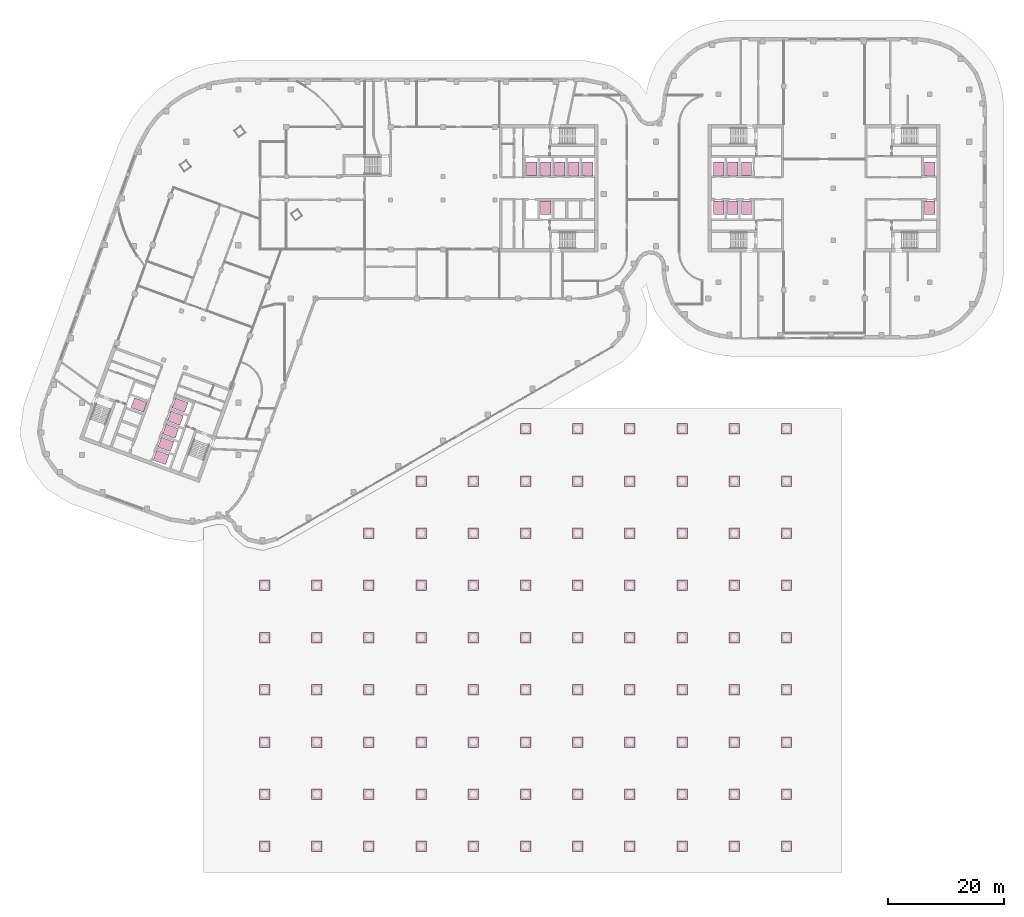
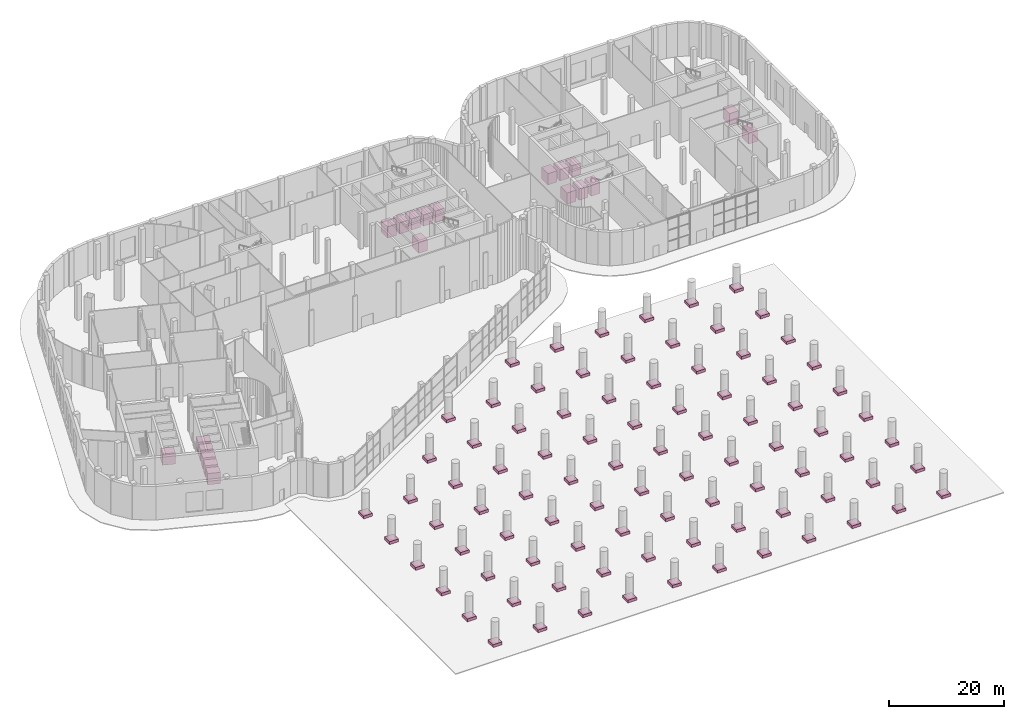
# One storey, part 29 of 30: 89 furniture elements, 20 transport elements.
"""IFC4 building model written with IfcOpenShell, lengths in metres."""

from ifc_helpers import new_model, si_unit, direction, frame, origin, origin_2d, place, context, subcontext, project, spatial, rectangle, extrude, material, type_object, element, save


model = new_model("IFC4")

# Units and contexts
model_context = context("Model", 3, precision=1e-05, world=origin(), true_north=direction((0.0, 1.0)))
body_context = subcontext(model_context, "Body", "Model", "MODEL_VIEW")
ifc_project = project(units=[si_unit("LENGTHUNIT", "METRE"), si_unit("AREAUNIT", "SQUARE_METRE"), si_unit("VOLUMEUNIT", "CUBIC_METRE"), si_unit("PLANEANGLEUNIT", "RADIAN"), si_unit("MASSUNIT", "GRAM", prefix="KILO")], contexts=[model_context])

# Site, building, storey
site_placement = place(None, origin())
site = spatial("IfcSite", under=ifc_project, at=site_placement, CompositionType="ELEMENT")
building_placement = place(site_placement, origin())
building = spatial("IfcBuilding", under=site, at=building_placement, Name="Skarvind Civic Tower", CompositionType="ELEMENT")
storey_placement = place(building_placement, origin())
storey = spatial("IfcBuildingStorey", under=building, at=storey_placement, Name="L00", CompositionType="ELEMENT", Elevation=0.0)

# Transport elements
ifc_material_1 = material(Name="Firefighting lift car")
transport_element_type_1 = type_object("IfcTransportElementType", Name="Firefighting lift car", PredefinedType="ELEVATOR", material=ifc_material_1)
for number, where, z_axis, x_axis, name in (
    (1, (99.0, 124.64990234375, 0.0), (0.0, 0.0, 1.0), (-1.0, 0.0, 0.0), "Firefighting lift car"),
    (2, (96.60009765625, 131.35009765625, 0.0), (0.0, 0.0, 1.0), (-1.0, 0.0, 0.0), "Firefighting lift car"),
    (3, (28.8291015625, 90.618408203125, 0.0), (0.0, 0.0, 1.0), (0.342020143326, 0.939692620786, 0.0), "Firefighting lift car"),
    (4, (133.60009765625, 131.35009765625, 0.0), (0.0, 0.0, 1.0), (1.0, 0.0, 0.0), "Firefighting lift car"),
):
    element("IfcTransportElement", number, at=place(storey_placement, frame(where, z_axis=z_axis, x_axis=x_axis)), inside=storey, type_object=transport_element_type_1, Name=name, PredefinedType="ELEVATOR", context=body_context, shape_type="SweptSolid", body=[
        extrude(rectangle(XDim=1.800048828125, YDim=2.300048828125, at=origin_2d()), origin(), (0.0, 0.0, 1.0), 2.39990234375),
    ])
ifc_material_2 = material(Name="Passenger lift car")
transport_element_type_2 = type_object("IfcTransportElementType", Name="Passenger lift car", PredefinedType="ELEVATOR", material=ifc_material_2)
for number, where, z_axis, x_axis, name in (
    (5, (106.199951171875, 131.35009765625, 0.0), (0.0, 0.0, 1.0), (-1.0, 0.0, 0.0), "Shuttle lift car"),
    (6, (103.800048828125, 131.35009765625, 0.0), (0.0, 0.0, 1.0), (-1.0, 0.0, 0.0), "Shuttle lift car"),
    (7, (101.39990234375, 131.35009765625, 0.0), (0.0, 0.0, 1.0), (-1.0, 0.0, 0.0), "Low-rise lift car"),
    (8, (99.0, 131.35009765625, 0.0), (0.0, 0.0, 1.0), (-1.0, 0.0, 0.0), "Low-rise lift car"),
    (9, (32.66259765625, 81.56103515625, 0.0), (0.0, 0.0, 1.0), (0.342020143326, 0.939692620786, 0.0), "Shuttle lift car"),
    (10, (33.4833984375, 83.81640625, 0.0), (0.0, 0.0, 1.0), (0.342020143326, 0.939692620786, 0.0), "Shuttle lift car"),
    (11, (34.30419921875, 86.071533203125, 0.0), (0.0, 0.0, 1.0), (0.342020143326, 0.939692620786, 0.0), "Low-rise lift car"),
    (12, (35.125, 88.326904296875, 0.0), (0.0, 0.0, 1.0), (0.342020143326, 0.939692620786, 0.0), "Low-rise lift car"),
    (13, (35.946044921875, 90.58203125, 0.0), (0.0, 0.0, 1.0), (0.342020143326, 0.939692620786, 0.0), "Low-rise lift car"),
    (14, (128.800048828125, 131.35009765625, 0.0), (0.0, 0.0, 1.0), (1.0, 0.0, 0.0), "Low-rise lift car"),
    (15, (131.199951171875, 131.35009765625, 0.0), (0.0, 0.0, 1.0), (1.0, 0.0, 0.0), "Low-rise lift car"),
    (16, (128.800048828125, 124.64990234375, 0.0), (0.0, 0.0, 1.0), (1.0, 0.0, 0.0), "Low-rise lift car"),
    (17, (131.199951171875, 124.64990234375, 0.0), (0.0, 0.0, 1.0), (1.0, 0.0, 0.0), "Low-rise lift car"),
    (18, (133.60009765625, 124.64990234375, 0.0), (0.0, 0.0, 1.0), (1.0, 0.0, 0.0), "Low-rise lift car"),
    (19, (165.199951171875, 124.64990234375, 0.0), (0.0, 0.0, 1.0), (-1.0, 0.0, 0.0), "Low-rise lift car"),
    (20, (165.199951171875, 131.35009765625, 0.0), (0.0, 0.0, 1.0), (-1.0, 0.0, 0.0), "Low-rise lift car"),
):
    element("IfcTransportElement", number, at=place(storey_placement, frame(where, z_axis=z_axis, x_axis=x_axis)), inside=storey, type_object=transport_element_type_2, Name=name, PredefinedType="ELEVATOR", context=body_context, shape_type="SweptSolid", body=[
        extrude(rectangle(XDim=1.800048828125, YDim=2.300048828125, at=origin_2d()), origin(), (0.0, 0.0, 1.0), 2.39990234375),
    ])

# Furniture
for number, where, z_axis, x_axis, name in (
    (21, (50.5, 14.5, 0.0), (0.0, 0.0, 1.0), (1.0, 0.0, 0.0), "PLAZA PLANTER"),
    (22, (50.5, 23.5, 0.0), (0.0, 0.0, 1.0), (1.0, 0.0, 0.0), "PLAZA PLANTER"),
    (23, (50.5, 32.5, 0.0), (0.0, 0.0, 1.0), (1.0, 0.0, 0.0), "PLAZA PLANTER"),
    (24, (50.5, 41.5, 0.0), (0.0, 0.0, 1.0), (1.0, 0.0, 0.0), "PLAZA PLANTER"),
    (25, (50.5, 50.5, 0.0), (0.0, 0.0, 1.0), (1.0, 0.0, 0.0), "PLAZA PLANTER"),
    (26, (50.5, 59.5, 0.0), (0.0, 0.0, 1.0), (1.0, 0.0, 0.0), "PLAZA PLANTER"),
    (27, (59.5, 14.5, 0.0), (0.0, 0.0, 1.0), (1.0, 0.0, 0.0), "PLAZA PLANTER"),
    (28, (59.5, 23.5, 0.0), (0.0, 0.0, 1.0), (1.0, 0.0, 0.0), "PLAZA PLANTER"),
    (29, (59.5, 32.5, 0.0), (0.0, 0.0, 1.0), (1.0, 0.0, 0.0), "PLAZA PLANTER"),
    (30, (59.5, 41.5, 0.0), (0.0, 0.0, 1.0), (1.0, 0.0, 0.0), "PLAZA PLANTER"),
    (31, (59.5, 50.5, 0.0), (0.0, 0.0, 1.0), (1.0, 0.0, 0.0), "PLAZA PLANTER"),
    (32, (59.5, 59.5, 0.0), (0.0, 0.0, 1.0), (1.0, 0.0, 0.0), "PLAZA PLANTER"),
    (33, (68.5, 14.5, 0.0), (0.0, 0.0, 1.0), (1.0, 0.0, 0.0), "PLAZA PLANTER"),
    (34, (68.5, 23.5, 0.0), (0.0, 0.0, 1.0), (1.0, 0.0, 0.0), "PLAZA PLANTER"),
    (35, (68.5, 32.5, 0.0), (0.0, 0.0, 1.0), (1.0, 0.0, 0.0), "PLAZA PLANTER"),
    (36, (68.5, 41.5, 0.0), (0.0, 0.0, 1.0), (1.0, 0.0, 0.0), "PLAZA PLANTER"),
    (37, (68.5, 50.5, 0.0), (0.0, 0.0, 1.0), (1.0, 0.0, 0.0), "PLAZA PLANTER"),
    (38, (68.5, 59.5, 0.0), (0.0, 0.0, 1.0), (1.0, 0.0, 0.0), "PLAZA PLANTER"),
    (39, (68.5, 68.5, 0.0), (0.0, 0.0, 1.0), (1.0, 0.0, 0.0), "PLAZA PLANTER"),
    (40, (77.5, 14.5, 0.0), (0.0, 0.0, 1.0), (1.0, 0.0, 0.0), "PLAZA PLANTER"),
    (41, (77.5, 23.5, 0.0), (0.0, 0.0, 1.0), (1.0, 0.0, 0.0), "PLAZA PLANTER"),
    (42, (77.5, 32.5, 0.0), (0.0, 0.0, 1.0), (1.0, 0.0, 0.0), "PLAZA PLANTER"),
    (43, (77.5, 41.5, 0.0), (0.0, 0.0, 1.0), (1.0, 0.0, 0.0), "PLAZA PLANTER"),
    (44, (77.5, 50.5, 0.0), (0.0, 0.0, 1.0), (1.0, 0.0, 0.0), "PLAZA PLANTER"),
    (45, (77.5, 59.5, 0.0), (0.0, 0.0, 1.0), (1.0, 0.0, 0.0), "PLAZA PLANTER"),
    (46, (77.5, 68.5, 0.0), (0.0, 0.0, 1.0), (1.0, 0.0, 0.0), "PLAZA PLANTER"),
    (47, (77.5, 77.5, 0.0), (0.0, 0.0, 1.0), (1.0, 0.0, 0.0), "PLAZA PLANTER"),
    (48, (86.5, 14.5, 0.0), (0.0, 0.0, 1.0), (1.0, 0.0, 0.0), "PLAZA PLANTER"),
    (49, (86.5, 23.5, 0.0), (0.0, 0.0, 1.0), (1.0, 0.0, 0.0), "PLAZA PLANTER"),
    (50, (86.5, 32.5, 0.0), (0.0, 0.0, 1.0), (1.0, 0.0, 0.0), "PLAZA PLANTER"),
    (51, (86.5, 41.5, 0.0), (0.0, 0.0, 1.0), (1.0, 0.0, 0.0), "PLAZA PLANTER"),
    (52, (86.5, 50.5, 0.0), (0.0, 0.0, 1.0), (1.0, 0.0, 0.0), "PLAZA PLANTER"),
    (53, (86.5, 59.5, 0.0), (0.0, 0.0, 1.0), (1.0, 0.0, 0.0), "PLAZA PLANTER"),
    (54, (86.5, 68.5, 0.0), (0.0, 0.0, 1.0), (1.0, 0.0, 0.0), "PLAZA PLANTER"),
    (55, (86.5, 77.5, 0.0), (0.0, 0.0, 1.0), (1.0, 0.0, 0.0), "PLAZA PLANTER"),
    (56, (95.5, 14.5, 0.0), (0.0, 0.0, 1.0), (1.0, 0.0, 0.0), "PLAZA PLANTER"),
    (57, (95.5, 23.5, 0.0), (0.0, 0.0, 1.0), (1.0, 0.0, 0.0), "PLAZA PLANTER"),
    (58, (95.5, 32.5, 0.0), (0.0, 0.0, 1.0), (1.0, 0.0, 0.0), "PLAZA PLANTER"),
    (59, (95.5, 41.5, 0.0), (0.0, 0.0, 1.0), (1.0, 0.0, 0.0), "PLAZA PLANTER"),
    (60, (95.5, 50.5, 0.0), (0.0, 0.0, 1.0), (1.0, 0.0, 0.0), "PLAZA PLANTER"),
    (61, (95.5, 59.5, 0.0), (0.0, 0.0, 1.0), (1.0, 0.0, 0.0), "PLAZA PLANTER"),
    (62, (95.5, 68.5, 0.0), (0.0, 0.0, 1.0), (1.0, 0.0, 0.0), "PLAZA PLANTER"),
    (63, (95.5, 77.5, 0.0), (0.0, 0.0, 1.0), (1.0, 0.0, 0.0), "PLAZA PLANTER"),
    (64, (95.5, 86.5, 0.0), (0.0, 0.0, 1.0), (1.0, 0.0, 0.0), "PLAZA PLANTER"),
    (65, (104.5, 14.5, 0.0), (0.0, 0.0, 1.0), (1.0, 0.0, 0.0), "PLAZA PLANTER"),
    (66, (104.5, 23.5, 0.0), (0.0, 0.0, 1.0), (1.0, 0.0, 0.0), "PLAZA PLANTER"),
    (67, (104.5, 32.5, 0.0), (0.0, 0.0, 1.0), (1.0, 0.0, 0.0), "PLAZA PLANTER"),
    (68, (104.5, 41.5, 0.0), (0.0, 0.0, 1.0), (1.0, 0.0, 0.0), "PLAZA PLANTER"),
    (69, (104.5, 50.5, 0.0), (0.0, 0.0, 1.0), (1.0, 0.0, 0.0), "PLAZA PLANTER"),
    (70, (104.5, 59.5, 0.0), (0.0, 0.0, 1.0), (1.0, 0.0, 0.0), "PLAZA PLANTER"),
    (71, (104.5, 68.5, 0.0), (0.0, 0.0, 1.0), (1.0, 0.0, 0.0), "PLAZA PLANTER"),
    (72, (104.5, 77.5, 0.0), (0.0, 0.0, 1.0), (1.0, 0.0, 0.0), "PLAZA PLANTER"),
    (73, (104.5, 86.5, 0.0), (0.0, 0.0, 1.0), (1.0, 0.0, 0.0), "PLAZA PLANTER"),
    (74, (113.5, 14.5, 0.0), (0.0, 0.0, 1.0), (1.0, 0.0, 0.0), "PLAZA PLANTER"),
    (75, (113.5, 23.5, 0.0), (0.0, 0.0, 1.0), (1.0, 0.0, 0.0), "PLAZA PLANTER"),
    (76, (113.5, 32.5, 0.0), (0.0, 0.0, 1.0), (1.0, 0.0, 0.0), "PLAZA PLANTER"),
    (77, (113.5, 41.5, 0.0), (0.0, 0.0, 1.0), (1.0, 0.0, 0.0), "PLAZA PLANTER"),
    (78, (113.5, 50.5, 0.0), (0.0, 0.0, 1.0), (1.0, 0.0, 0.0), "PLAZA PLANTER"),
    (79, (113.5, 59.5, 0.0), (0.0, 0.0, 1.0), (1.0, 0.0, 0.0), "PLAZA PLANTER"),
    (80, (113.5, 68.5, 0.0), (0.0, 0.0, 1.0), (1.0, 0.0, 0.0), "PLAZA PLANTER"),
    (81, (113.5, 77.5, 0.0), (0.0, 0.0, 1.0), (1.0, 0.0, 0.0), "PLAZA PLANTER"),
    (82, (113.5, 86.5, 0.0), (0.0, 0.0, 1.0), (1.0, 0.0, 0.0), "PLAZA PLANTER"),
    (83, (122.5, 14.5, 0.0), (0.0, 0.0, 1.0), (1.0, 0.0, 0.0), "PLAZA PLANTER"),
    (84, (122.5, 23.5, 0.0), (0.0, 0.0, 1.0), (1.0, 0.0, 0.0), "PLAZA PLANTER"),
    (85, (122.5, 32.5, 0.0), (0.0, 0.0, 1.0), (1.0, 0.0, 0.0), "PLAZA PLANTER"),
    (86, (122.5, 41.5, 0.0), (0.0, 0.0, 1.0), (1.0, 0.0, 0.0), "PLAZA PLANTER"),
    (87, (122.5, 50.5, 0.0), (0.0, 0.0, 1.0), (1.0, 0.0, 0.0), "PLAZA PLANTER"),
    (88, (122.5, 59.5, 0.0), (0.0, 0.0, 1.0), (1.0, 0.0, 0.0), "PLAZA PLANTER"),
    (89, (122.5, 68.5, 0.0), (0.0, 0.0, 1.0), (1.0, 0.0, 0.0), "PLAZA PLANTER"),
    (90, (122.5, 77.5, 0.0), (0.0, 0.0, 1.0), (1.0, 0.0, 0.0), "PLAZA PLANTER"),
    (91, (122.5, 86.5, 0.0), (0.0, 0.0, 1.0), (1.0, 0.0, 0.0), "PLAZA PLANTER"),
    (92, (131.5, 14.5, 0.0), (0.0, 0.0, 1.0), (1.0, 0.0, 0.0), "PLAZA PLANTER"),
    (93, (131.5, 23.5, 0.0), (0.0, 0.0, 1.0), (1.0, 0.0, 0.0), "PLAZA PLANTER"),
    (94, (131.5, 32.5, 0.0), (0.0, 0.0, 1.0), (1.0, 0.0, 0.0), "PLAZA PLANTER"),
    (95, (131.5, 41.5, 0.0), (0.0, 0.0, 1.0), (1.0, 0.0, 0.0), "PLAZA PLANTER"),
    (96, (131.5, 50.5, 0.0), (0.0, 0.0, 1.0), (1.0, 0.0, 0.0), "PLAZA PLANTER"),
    (97, (131.5, 59.5, 0.0), (0.0, 0.0, 1.0), (1.0, 0.0, 0.0), "PLAZA PLANTER"),
    (98, (131.5, 68.5, 0.0), (0.0, 0.0, 1.0), (1.0, 0.0, 0.0), "PLAZA PLANTER"),
    (99, (131.5, 77.5, 0.0), (0.0, 0.0, 1.0), (1.0, 0.0, 0.0), "PLAZA PLANTER"),
    (100, (131.5, 86.5, 0.0), (0.0, 0.0, 1.0), (1.0, 0.0, 0.0), "PLAZA PLANTER"),
    (101, (140.5, 14.5, 0.0), (0.0, 0.0, 1.0), (1.0, 0.0, 0.0), "PLAZA PLANTER"),
    (102, (140.5, 23.5, 0.0), (0.0, 0.0, 1.0), (1.0, 0.0, 0.0), "PLAZA PLANTER"),
    (103, (140.5, 32.5, 0.0), (0.0, 0.0, 1.0), (1.0, 0.0, 0.0), "PLAZA PLANTER"),
    (104, (140.5, 41.5, 0.0), (0.0, 0.0, 1.0), (1.0, 0.0, 0.0), "PLAZA PLANTER"),
    (105, (140.5, 50.5, 0.0), (0.0, 0.0, 1.0), (1.0, 0.0, 0.0), "PLAZA PLANTER"),
    (106, (140.5, 59.5, 0.0), (0.0, 0.0, 1.0), (1.0, 0.0, 0.0), "PLAZA PLANTER"),
    (107, (140.5, 68.5, 0.0), (0.0, 0.0, 1.0), (1.0, 0.0, 0.0), "PLAZA PLANTER"),
    (108, (140.5, 77.5, 0.0), (0.0, 0.0, 1.0), (1.0, 0.0, 0.0), "PLAZA PLANTER"),
    (109, (140.5, 86.5, 0.0), (0.0, 0.0, 1.0), (1.0, 0.0, 0.0), "PLAZA PLANTER"),
):
    element("IfcFurniture", number, at=place(storey_placement, frame(where, z_axis=z_axis, x_axis=x_axis)), inside=storey, Name=name, ObjectType="PLANTER", PredefinedType="USERDEFINED", context=body_context, shape_type="SweptSolid", body=[
        extrude(rectangle(XDim=1.800048828125, YDim=1.800048828125, at=origin_2d()), origin(), (0.0, 0.0, 1.0), 0.60009765625),
    ])

save(model, "model.ifc")
